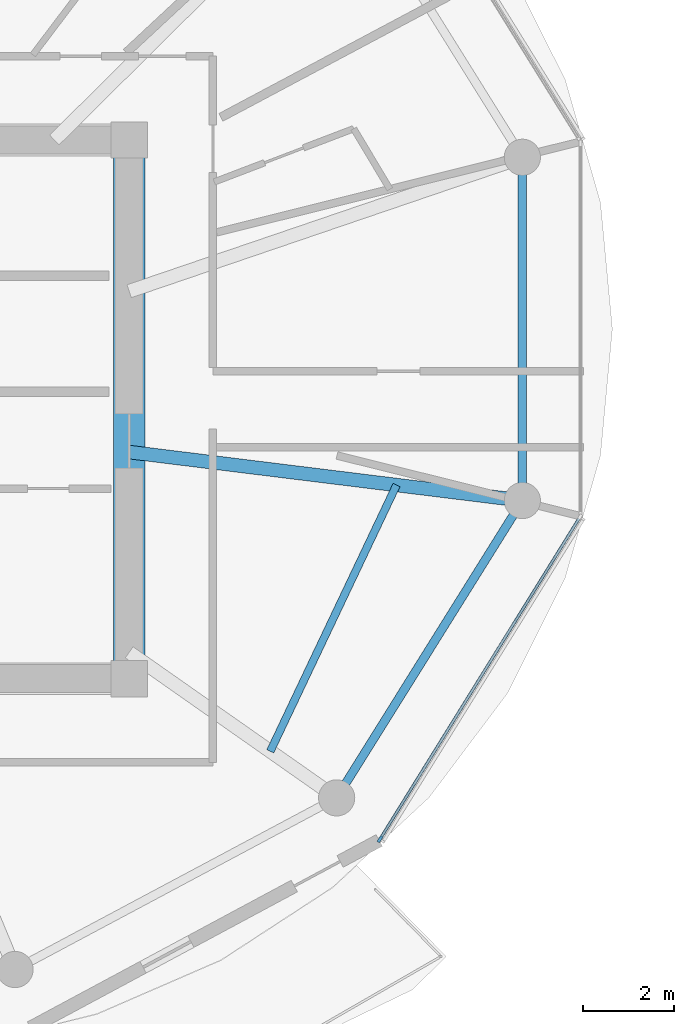
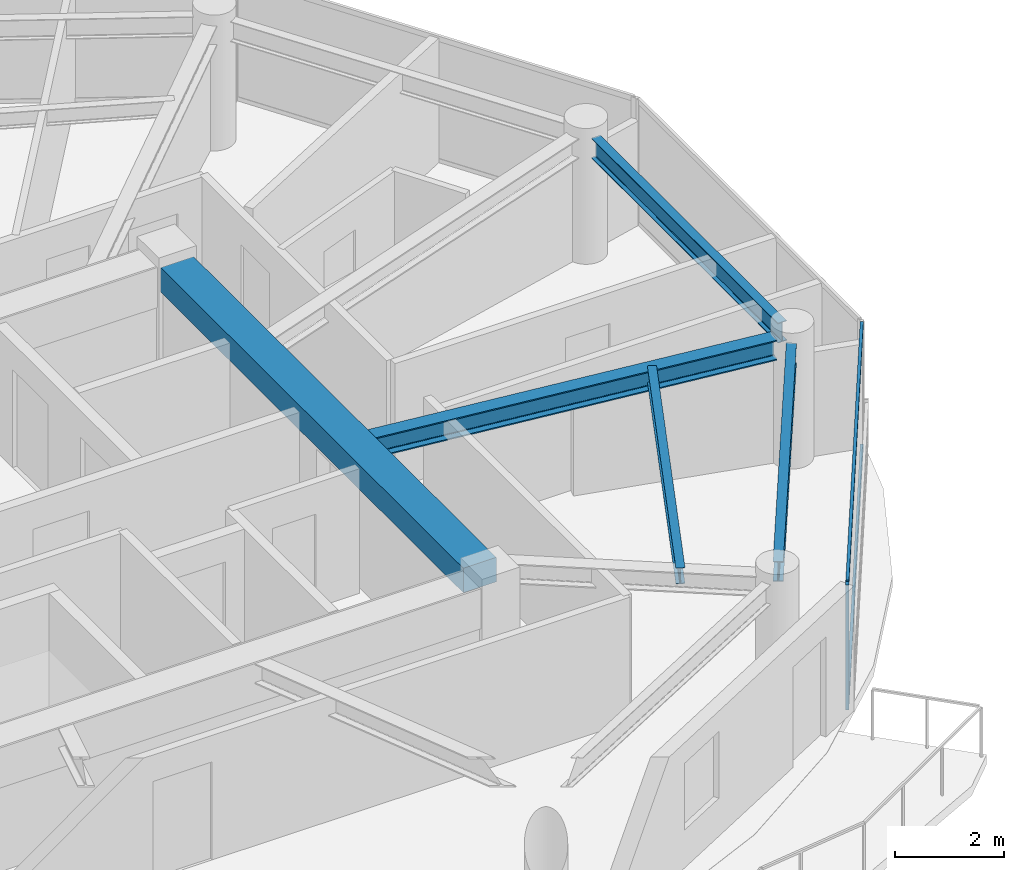
# One storey, part 3 of 23: 5 beams, 3 members, 1 element without a shape of its own.
"""IFC4 building model written with IfcOpenShell, lengths in metres."""

from ifc_helpers import new_model, si_unit, direction, frame, origin, origin_2d, place, context, subcontext, project, spatial, rectangle, i_section, extrude, source, transform, mapped, material, layer, layer_set, material_profile, profile_set, type_object, type_shapes, element, aggregate, save


model = new_model("IFC4")

# Units and contexts
model_context = context("Model", 3, precision=1e-05, world=origin(), true_north=direction((0.0, 1.0)))
body_context = subcontext(model_context, "Body", "Model", "MODEL_VIEW")
ifc_project = project(units=[si_unit("LENGTHUNIT", "METRE"), si_unit("AREAUNIT", "SQUARE_METRE"), si_unit("VOLUMEUNIT", "CUBIC_METRE"), si_unit("PLANEANGLEUNIT", "RADIAN"), si_unit("MASSUNIT", "GRAM", prefix="KILO")], contexts=[model_context])

# Site, building, storey
site_placement = place(None, origin())
site = spatial("IfcSite", under=ifc_project, at=site_placement, CompositionType="ELEMENT")
building_placement = place(site_placement, origin())
building = spatial("IfcBuilding", under=site, at=building_placement, Name="Norrkilde Senior Care Towers", CompositionType="ELEMENT")
storey_placement = place(building_placement, frame((0.0, 0.0, 173.949951171875)))
storey = spatial("IfcBuildingStorey", under=building, at=storey_placement, Name="L54", CompositionType="ELEMENT", Elevation=173.949951171875)

# Beams
ifc_material_1 = material(Name="Concrete C60/75", Category="concrete")
ifc_material_profile_1 = material_profile(ifc_material_1, rectangle(XDim=0.699951171875, YDim=0.550048828125, at=origin_2d()), Name="RC BM 700x550")
ifc_profile_set_1 = profile_set([ifc_material_profile_1], Name="Concrete C60/75")
beam_type_1 = type_object("IfcBeamType", Name="Core Portal Coupling Beam 700x550", PredefinedType="USERDEFINED", material=ifc_profile_set_1)
shared_shape_1 = source(origin(), body_context, "Body", "SweptSolid", [
    extrude(rectangle(XDim=0.699951171875, YDim=0.550048828125, at=origin_2d()), origin(), (0.0, 0.0, 1.0), 11.14013671875),
])
type_shapes(beam_type_1, [shared_shape_1])
beam_1_placement = place(storey_placement, frame((-20.35009765625, -5.570068359375, 2.53515625), z_axis=(0.0, 1.0, 0.0), x_axis=(-1.0, 0.0, 0.0)))
element("IfcBeam", 1, at=beam_1_placement, inside=storey, type_object=beam_type_1, Name="L54 Core W E Coupling Girder", ObjectType="GIRDER", PredefinedType="USERDEFINED", context=body_context, shape_type="MappedRepresentation", body=[
    mapped(shared_shape_1, transform((0.0, 0.0, 0.0), x_axis=(1.0, 0.0, 0.0), y_axis=(0.0, 1.0, 0.0), z_axis=(0.0, 0.0, 1.0), scale=1.0)),
])
ifc_material_2 = material(Name="Steel S355", Category="steel")
ifc_material_profile_2 = material_profile(ifc_material_2, i_section(OverallWidth=0.18994140625, OverallDepth=0.449951171875, WebThickness=0.009521484375, FlangeThickness=0.0146484375, FilletRadius=0.02099609375, at=origin_2d()), Name="IPE 450")
ifc_profile_set_2 = profile_set([ifc_material_profile_2], Name="Steel S355")
beam_type_2 = type_object("IfcBeamType", Name="Perimeter Ring Spandrel Z3 IPE450", PredefinedType="SPANDREL", material=ifc_profile_set_2)
shared_shape_2 = source(origin(), body_context, "Body", "SweptSolid", [
    extrude(i_section(OverallWidth=0.18994140625, OverallDepth=0.449951171875, WebThickness=0.009521484375, FlangeThickness=0.0146484375, FilletRadius=0.02099609375, at=origin_2d()), origin(), (0.0, 0.0, 1.0), 6.86328125),
])
beam_2_placement = place(storey_placement, frame((-11.6650390625, -1.65625, 2.5849609375), z_axis=(0.0, 1.0, 0.0), x_axis=(-1.0, 0.0, 0.0)))
element("IfcBeam", 2, at=beam_2_placement, inside=storey, type_object=beam_type_2, Name="L54 Drum W Perimeter Spandrel 12", PredefinedType="SPANDREL", context=body_context, shape_type="MappedRepresentation", body=[
    mapped(shared_shape_2, transform((0.0, 0.0, 0.0), x_axis=(1.0, 0.0, 0.0), y_axis=(0.0, 1.0, 0.0), z_axis=(0.0, 0.0, 1.0), scale=1.0)),
])
shared_shape_3 = source(origin(), body_context, "Body", "SweptSolid", [
    extrude(i_section(OverallWidth=0.18994140625, OverallDepth=0.449951171875, WebThickness=0.009521484375, FlangeThickness=0.0146484375, FilletRadius=0.02099609375, at=origin_2d()), origin(), (0.0, 0.0, 1.0), 7.023193359375),
])
type_shapes(beam_type_2, [shared_shape_2, shared_shape_3])
beam_3_placement = place(storey_placement, frame((-15.57666015625, -8.2783203125, 2.5849609375), z_axis=(0.529805197269, 0.848119362441, 0.0), x_axis=(-0.848119362441, 0.529805197269, 0.0)))
element("IfcBeam", 3, at=beam_3_placement, inside=storey, type_object=beam_type_2, Name="L54 Drum W Perimeter Spandrel 11", PredefinedType="SPANDREL", context=body_context, shape_type="MappedRepresentation", body=[
    mapped(shared_shape_3, transform((0.0, 0.0, 0.0), x_axis=(1.0, 0.0, 0.0), y_axis=(0.0, 1.0, 0.0), z_axis=(0.0, 0.0, 1.0), scale=1.0)),
])
ifc_material_profile_3 = material_profile(ifc_material_2, i_section(OverallWidth=0.300048828125, OverallDepth=0.449951171875, WebThickness=0.013916015625, FlangeThickness=0.02587890625, FilletRadius=0.027099609375, at=origin_2d()), Name="HEB 450")
ifc_profile_set_3 = profile_set([ifc_material_profile_3], Name="Steel S355")
beam_type_3 = type_object("IfcBeamType", Name="Radial Floor Beam Z3 HEB450", PredefinedType="BEAM", material=ifc_profile_set_3)
shared_shape_4 = source(origin(), body_context, "Body", "SweptSolid", [
    extrude(i_section(OverallWidth=0.300048828125, OverallDepth=0.449951171875, WebThickness=0.013916015625, FlangeThickness=0.02587890625, FilletRadius=0.027099609375, at=origin_2d()), origin(), (0.0, 0.0, 1.0), 8.390869140625),
])
type_shapes(beam_type_3, [shared_shape_4])
beam_4_placement = place(storey_placement, frame((-20.35009765625, -0.9443359375, 2.5849609375), z_axis=(0.99246916403, -0.122494728249, 0.0), x_axis=(0.122494728249, 0.99246916403, 0.0)))
element("IfcBeam", 4, at=beam_4_placement, inside=storey, type_object=beam_type_3, Name="L54 Drum W Radial Floor Beam 12", PredefinedType="BEAM", context=body_context, shape_type="MappedRepresentation", body=[
    mapped(shared_shape_4, transform((0.0, 0.0, 0.0), x_axis=(1.0, 0.0, 0.0), y_axis=(0.0, 1.0, 0.0), z_axis=(0.0, 0.0, 1.0), scale=1.0)),
])
ifc_material_profile_4 = material_profile(ifc_material_2, i_section(OverallWidth=0.169921875, OverallDepth=0.360107421875, WebThickness=0.008056640625, FlangeThickness=0.0126953125, FilletRadius=0.01806640625, at=origin_2d()), Name="IPE 360")
ifc_profile_set_4 = profile_set([ifc_material_profile_4], Name="Steel S355")
beam_type_4 = type_object("IfcBeamType", Name="Secondary Floor Joist IPE360", PredefinedType="JOIST", material=ifc_profile_set_4)
shared_shape_5 = source(origin(), body_context, "Body", "SweptSolid", [
    extrude(i_section(OverallWidth=0.169921875, OverallDepth=0.360107421875, WebThickness=0.008056640625, FlangeThickness=0.0126953125, FilletRadius=0.01806640625, at=origin_2d()), origin(), (0.0, 0.0, 1.0), 6.50927734375),
])
type_shapes(beam_type_4, [shared_shape_5])
beam_5_placement = place(storey_placement, frame((-17.23388671875, -7.5546875, 2.630126953125), z_axis=(0.428544169129, 0.90352083269, 0.0), x_axis=(-0.90352083269, 0.428544169129, 0.0)))
element("IfcBeam", 5, at=beam_5_placement, inside=storey, type_object=beam_type_4, Name="L54 Drum W Secondary Floor Joist 4", PredefinedType="JOIST", context=body_context, shape_type="MappedRepresentation", body=[
    mapped(shared_shape_5, transform((0.0, 0.0, 0.0), x_axis=(1.0, 0.0, 0.0), y_axis=(0.0, 1.0, 0.0), z_axis=(0.0, 0.0, 1.0), scale=1.0)),
])

# Curtain wall, members
ifc_material_3 = material(Name="Triple Low-E Insulated Glazing", Category="glass")
ifc_layer = layer(ifc_material_3, 0.18994140625)
ifc_layer_set = layer_set([ifc_layer], Name="Triple Low-E Insulated Glazing")
curtain_wall_type = type_object("IfcCurtainWallType", Name="CW4 Zone 3 Senior Residence Curtain Wall", PredefinedType="NOTDEFINED", material=ifc_layer_set)
curtain_wall_placement = place(storey_placement, origin())
curtain_wall = element("IfcCurtainWall", 6, at=curtain_wall_placement, inside=storey, type_object=curtain_wall_type, Name="L54 Drum W Curtain Wall 10", PredefinedType="NOTDEFINED")
ifc_material_4 = material(Name="Anodised Aluminium", Category="aluminium")
ifc_material_profile_5 = material_profile(ifc_material_4, rectangle(XDim=0.06494140625, YDim=0.14990234375, at=origin_2d()), Name="ALU MULL 65x150")
ifc_profile_set_5 = profile_set([ifc_material_profile_5], Name="Anodised Aluminium")
member_type_1 = type_object("IfcMemberType", Name="Curtain Wall Mullion Z3-Z4 65x150", PredefinedType="MULLION", material=ifc_profile_set_5)
shared_shape_6 = source(origin(), body_context, "Body", "SweptSolid", [
    extrude(rectangle(XDim=0.06494140625, YDim=0.14990234375, at=origin_2d()), origin(), (0.0, 0.0, 1.0), 2.81005859375),
])
type_shapes(member_type_1, [shared_shape_6])
member_1_placement = place(storey_placement, frame((-14.809814453125, -9.49658203125, 0.0), z_axis=(0.0, 0.0, 1.0), x_axis=(0.84963405474, -0.52737270789, 0.0)))
member_1 = element("IfcMember", 7, at=member_1_placement, type_object=member_type_1, Name="CW-4 mullion 2", PredefinedType="MULLION", context=body_context, shape_type="MappedRepresentation", body=[
    mapped(shared_shape_6, transform((0.0, 0.0, 0.0), x_axis=(1.0, 0.0, 0.0), y_axis=(0.0, 1.0, 0.0), z_axis=(0.0, 0.0, 1.0), scale=1.0)),
])
ifc_material_profile_6 = material_profile(ifc_material_4, rectangle(XDim=0.06005859375, YDim=0.1201171875, at=origin_2d()), Name="ALU TRAN 60x120")
ifc_profile_set_6 = profile_set([ifc_material_profile_6], Name="Anodised Aluminium")
member_type_2 = type_object("IfcMemberType", Name="Curtain Wall Transom Typical 60x120", PredefinedType="USERDEFINED", material=ifc_profile_set_6)
shared_shape_7 = source(origin(), body_context, "Body", "SweptSolid", [
    extrude(rectangle(XDim=0.06005859375, YDim=0.1201171875, at=origin_2d()), origin(), (0.0, 0.0, 1.0), 8.301513671875),
])
type_shapes(member_type_2, [shared_shape_7])
member_2_placement = place(storey_placement, frame((-10.414794921875, -2.415771484375, 0.030029296875), z_axis=(-0.527368718394, -0.849636531029, 0.0), x_axis=(0.849636531029, -0.527368718394, 0.0)))
member_2 = element("IfcMember", 8, at=member_2_placement, type_object=member_type_2, Name="CW-4 transom 1.1", ObjectType="TRANSOM", PredefinedType="USERDEFINED", context=body_context, shape_type="MappedRepresentation", body=[
    mapped(shared_shape_7, transform((0.0, 0.0, 0.0), x_axis=(1.0, 0.0, 0.0), y_axis=(0.0, 1.0, 0.0), z_axis=(0.0, 0.0, 1.0), scale=1.0)),
])
member_3_placement = place(storey_placement, frame((-10.414794921875, -2.415771484375, 2.780029296875), z_axis=(-0.527368718394, -0.849636531029, 0.0), x_axis=(0.849636531029, -0.527368718394, 0.0)))
member_3 = element("IfcMember", 9, at=member_3_placement, type_object=member_type_2, Name="CW-4 transom 1.2", ObjectType="TRANSOM", PredefinedType="USERDEFINED", context=body_context, shape_type="MappedRepresentation", body=[
    mapped(shared_shape_7, transform((0.0, 0.0, 0.0), x_axis=(1.0, 0.0, 0.0), y_axis=(0.0, 1.0, 0.0), z_axis=(0.0, 0.0, 1.0), scale=1.0)),
])
aggregate(curtain_wall, [member_1, member_2, member_3])

save(model, "model.ifc")
